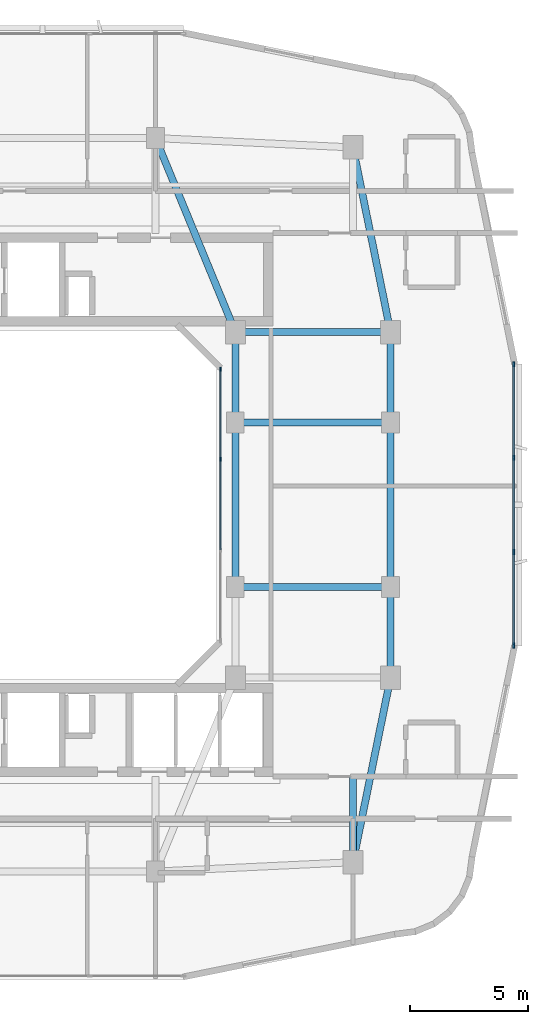
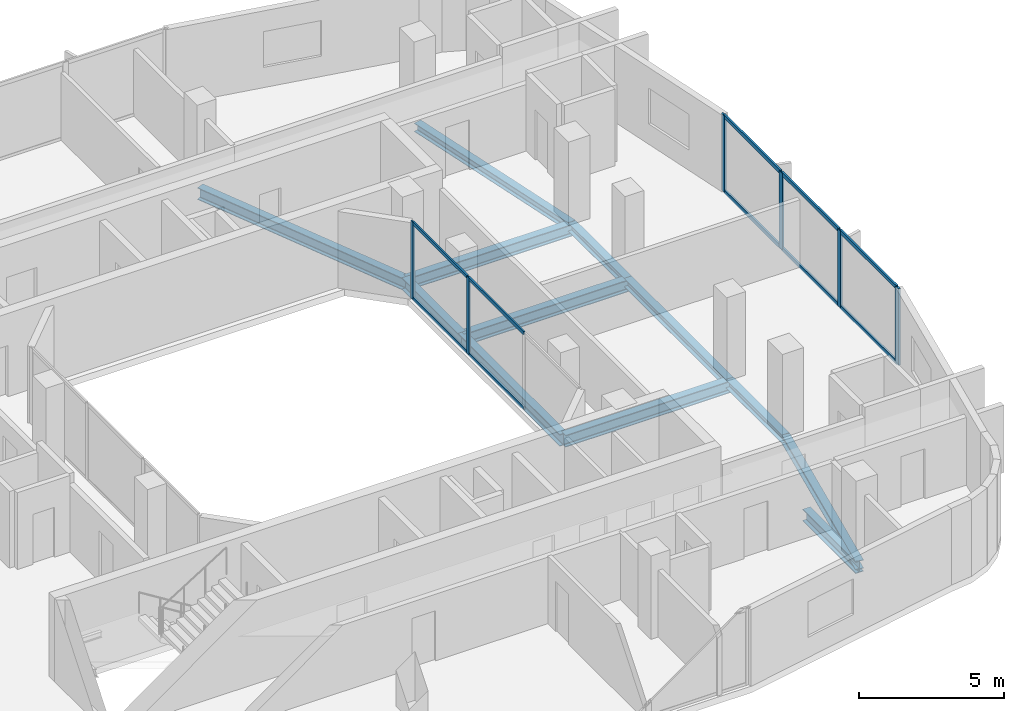
# One storey, part 4 of 14: 16 members, 12 beams, 2 elements without a shape of their own.
"""IFC4 building model written with IfcOpenShell, lengths in metres."""

from ifc_helpers import new_model, si_unit, derived_unit, direction, frame, origin, origin_2d, place, context, subcontext, project, spatial, rectangle, i_section, extrude, material, layer, layer_set, material_profile, profile_set, type_object, element, aggregate, save


model = new_model("IFC4")

# Units and contexts
model_context = context("Model", 3, precision=1e-05, world=origin(), true_north=direction((0.0, 1.0)))
body_context = subcontext(model_context, "Body", "Model", "MODEL_VIEW")
ifc_project = project(units=[si_unit("LENGTHUNIT", "METRE"), si_unit("AREAUNIT", "SQUARE_METRE"), si_unit("VOLUMEUNIT", "CUBIC_METRE"), si_unit("PLANEANGLEUNIT", "RADIAN"), si_unit("MASSUNIT", "GRAM", prefix="KILO"), derived_unit("THERMALTRANSMITTANCEUNIT", [(si_unit("POWERUNIT", "WATT"), 1), (si_unit("LENGTHUNIT", "METRE"), -2), (si_unit("THERMODYNAMICTEMPERATUREUNIT", "KELVIN"), -1)])], contexts=[model_context])

# Site, building, storey
site_placement = place(None, origin())
site = spatial("IfcSite", under=ifc_project, at=site_placement, CompositionType="ELEMENT")
building_placement = place(site_placement, origin())
building = spatial("IfcBuilding", under=site, at=building_placement, Name="Kivonza Crest Hotel", CompositionType="ELEMENT")
storey_placement = place(building_placement, frame((0.0, 0.0, 141.5)))
storey = spatial("IfcBuildingStorey", under=building, at=storey_placement, Name="L38", CompositionType="ELEMENT", Elevation=141.5)

# Beams
ifc_material_1 = material(Name="Steel S355", Category="steel")
ifc_material_profile_1 = material_profile(ifc_material_1, i_section(OverallWidth=0.300048828125, OverallDepth=0.360107421875, WebThickness=0.012451171875, FlangeThickness=0.0224609375, FilletRadius=0.027099609375, at=origin_2d()), Name="HEB 360")
ifc_profile_set_1 = profile_set([ifc_material_profile_1], Name="Steel S355")
beam_type_1 = type_object("IfcBeamType", Name="BM-HEB360", PredefinedType="SPANDREL", material=ifc_profile_set_1)
beam_1_placement = place(storey_placement, frame((34.199951171875, 9.800048828125, -0.4599609375), z_axis=(0.199730733965, 0.979850822273, 0.0), x_axis=(-0.979850822273, 0.199730733965, 0.0)))
element("IfcBeam", 1, at=beam_1_placement, inside=storey, type_object=beam_type_1, Name="Tower T1 L38 perimeter spandrel SE-PSE", PredefinedType="SPANDREL", context=body_context, shape_type="SweptSolid", body=[
    extrude(i_section(OverallWidth=0.300048828125, OverallDepth=0.360107421875, WebThickness=0.012451171875, FlangeThickness=0.0224609375, FilletRadius=0.027099609375, at=origin_2d()), origin(), (0.0, 0.0, 1.0), 8.01123046875),
])
beam_2_placement = place(storey_placement, frame((35.800048828125, 17.64990234375, -0.4599609375), z_axis=(0.0, 1.0, 0.0), x_axis=(-1.0, 0.0, 0.0)))
element("IfcBeam", 2, at=beam_2_placement, inside=storey, type_object=beam_type_1, Name="Tower T1 L38 perimeter spandrel PSE-E1", PredefinedType="SPANDREL", context=body_context, shape_type="SweptSolid", body=[
    extrude(i_section(OverallWidth=0.300048828125, OverallDepth=0.360107421875, WebThickness=0.012451171875, FlangeThickness=0.0224609375, FilletRadius=0.027099609375, at=origin_2d()), origin(), (0.0, 0.0, 1.0), 3.85009765625),
])
beam_3_placement = place(storey_placement, frame((35.800048828125, 21.5, -0.4599609375), z_axis=(0.0, 1.0, 0.0), x_axis=(-1.0, 0.0, 0.0)))
element("IfcBeam", 3, at=beam_3_placement, inside=storey, type_object=beam_type_1, Name="Tower T1 L38 perimeter spandrel E1-E2", PredefinedType="SPANDREL", context=body_context, shape_type="SweptSolid", body=[
    extrude(i_section(OverallWidth=0.300048828125, OverallDepth=0.360107421875, WebThickness=0.012451171875, FlangeThickness=0.0224609375, FilletRadius=0.027099609375, at=origin_2d()), origin(), (0.0, 0.0, 1.0), 7.0),
])
beam_4_placement = place(storey_placement, frame((35.800048828125, 28.5, -0.4599609375), z_axis=(0.0, 1.0, 0.0), x_axis=(-1.0, 0.0, 0.0)))
element("IfcBeam", 4, at=beam_4_placement, inside=storey, type_object=beam_type_1, Name="Tower T1 L38 perimeter spandrel E2-PNE", PredefinedType="SPANDREL", context=body_context, shape_type="SweptSolid", body=[
    extrude(i_section(OverallWidth=0.300048828125, OverallDepth=0.360107421875, WebThickness=0.012451171875, FlangeThickness=0.0224609375, FilletRadius=0.027099609375, at=origin_2d()), origin(), (0.0, 0.0, 1.0), 3.85009765625),
])
beam_5_placement = place(storey_placement, frame((35.800048828125, 32.35009765625, -0.4599609375), z_axis=(-0.199730733965, 0.979850822273, 0.0), x_axis=(-0.979850822273, -0.199730733965, 0.0)))
element("IfcBeam", 5, at=beam_5_placement, inside=storey, type_object=beam_type_1, Name="Tower T1 L38 perimeter spandrel PNE-NE", PredefinedType="SPANDREL", context=body_context, shape_type="SweptSolid", body=[
    extrude(i_section(OverallWidth=0.300048828125, OverallDepth=0.360107421875, WebThickness=0.012451171875, FlangeThickness=0.0224609375, FilletRadius=0.027099609375, at=origin_2d()), origin(), (0.0, 0.0, 1.0), 8.01123046875),
])
ifc_material_profile_2 = material_profile(ifc_material_1, i_section(OverallWidth=0.300048828125, OverallDepth=0.5, WebThickness=0.014404296875, FlangeThickness=0.028076171875, FilletRadius=0.027099609375, at=origin_2d()), Name="HEB 500")
ifc_profile_set_2 = profile_set([ifc_material_profile_2], Name="Steel S355")
beam_type_2 = type_object("IfcBeamType", Name="BM-HEB500", PredefinedType="BEAM", material=ifc_profile_set_2)
beam_6_placement = place(storey_placement, frame((25.800048828125, 40.60009765625, -0.530029296875), z_axis=(0.381022260404, -0.924565864109, 0.0), x_axis=(0.924565864109, 0.381022260404, 0.0)))
element("IfcBeam", 6, at=beam_6_placement, inside=storey, type_object=beam_type_2, Name="Tower T1 L38 primary girder N1-TNE", PredefinedType="BEAM", context=body_context, shape_type="SweptSolid", body=[
    extrude(i_section(OverallWidth=0.300048828125, OverallDepth=0.5, WebThickness=0.014404296875, FlangeThickness=0.028076171875, FilletRadius=0.027099609375, at=origin_2d()), origin(), (0.0, 0.0, 1.0), 8.923095703125),
])
beam_7_placement = place(storey_placement, frame((29.199951171875, 32.35009765625, -0.530029296875), z_axis=(1.0, 0.0, 0.0), x_axis=(0.0, 1.0, 0.0)))
element("IfcBeam", 7, at=beam_7_placement, inside=storey, type_object=beam_type_2, Name="Tower T1 L38 primary girder TNE-PNE", PredefinedType="BEAM", context=body_context, shape_type="SweptSolid", body=[
    extrude(i_section(OverallWidth=0.300048828125, OverallDepth=0.5, WebThickness=0.014404296875, FlangeThickness=0.028076171875, FilletRadius=0.027099609375, at=origin_2d()), origin(), (0.0, 0.0, 1.0), 6.60009765625),
])
beam_8_placement = place(storey_placement, frame((29.199951171875, 21.5, -0.530029296875), z_axis=(0.0, 1.0, 0.0), x_axis=(-1.0, 0.0, 0.0)))
element("IfcBeam", 8, at=beam_8_placement, inside=storey, type_object=beam_type_2, Name="Tower T1 L38 primary girder WR1-WR2", PredefinedType="BEAM", context=body_context, shape_type="SweptSolid", body=[
    extrude(i_section(OverallWidth=0.300048828125, OverallDepth=0.5, WebThickness=0.014404296875, FlangeThickness=0.028076171875, FilletRadius=0.027099609375, at=origin_2d()), origin(), (0.0, 0.0, 1.0), 7.0),
])
beam_9_placement = place(storey_placement, frame((29.199951171875, 28.5, -0.530029296875), z_axis=(0.0, 1.0, 0.0), x_axis=(-1.0, 0.0, 0.0)))
element("IfcBeam", 9, at=beam_9_placement, inside=storey, type_object=beam_type_2, Name="Tower T1 L38 primary girder WR2-TNE", PredefinedType="BEAM", context=body_context, shape_type="SweptSolid", body=[
    extrude(i_section(OverallWidth=0.300048828125, OverallDepth=0.5, WebThickness=0.014404296875, FlangeThickness=0.028076171875, FilletRadius=0.027099609375, at=origin_2d()), origin(), (0.0, 0.0, 1.0), 3.85009765625),
])
for number, where, z_axis, x_axis, name in (
    (10, (29.199951171875, 21.5, -0.530029296875), (1.0, 0.0, 0.0), (0.0, 1.0, 0.0), "Tower T1 L38 primary girder WR1-E1"),
    (11, (29.199951171875, 28.5, -0.530029296875), (1.0, 0.0, 0.0), (0.0, 1.0, 0.0), "Tower T1 L38 primary girder WR2-E2"),
):
    element("IfcBeam", number, at=place(storey_placement, frame(where, z_axis=z_axis, x_axis=x_axis)), inside=storey, type_object=beam_type_2, Name=name, PredefinedType="BEAM", context=body_context, shape_type="SweptSolid", body=[
        extrude(i_section(OverallWidth=0.300048828125, OverallDepth=0.5, WebThickness=0.014404296875, FlangeThickness=0.028076171875, FilletRadius=0.027099609375, at=origin_2d()), origin(), (0.0, 0.0, 1.0), 6.60009765625),
    ])
beam_10_placement = place(storey_placement, frame((34.199951171875, 9.800048828125, -0.530029296875), z_axis=(0.0, 1.0, 0.0), x_axis=(-1.0, 0.0, 0.0)))
element("IfcBeam", 12, at=beam_10_placement, inside=storey, type_object=beam_type_2, Name="Tower T1 L38 radial core girder RSE", PredefinedType="BEAM", context=body_context, shape_type="SweptSolid", body=[
    extrude(i_section(OverallWidth=0.300048828125, OverallDepth=0.5, WebThickness=0.014404296875, FlangeThickness=0.028076171875, FilletRadius=0.027099609375, at=origin_2d()), origin(), (0.0, 0.0, 1.0), 3.64990234375),
])

# Curtain wall, members
ifc_material_2 = material(Name="Anodised bronze aluminium and low-E double glazing", Category="aluminium")
ifc_layer_1 = layer(ifc_material_2, 0.159912109375)
ifc_layer_set_1 = layer_set([ifc_layer_1], Name="Anodised bronze aluminium and low-E double glazing")
curtain_wall_type_1 = type_object("IfcCurtainWallType", Name="CW-SYS-5", PredefinedType="NOTDEFINED", material=ifc_layer_set_1)
curtain_wall_1_placement = place(storey_placement, origin())
curtain_wall_1 = element("IfcCurtainWall", 13, at=curtain_wall_1_placement, inside=storey, type_object=curtain_wall_type_1, Name="L38 unitised curtain wall CW-WELL-T1-L38-3", PredefinedType="NOTDEFINED")
ifc_material_3 = material(Name="Anodised bronze aluminium", Category="aluminium")
ifc_material_profile_3 = material_profile(ifc_material_3, rectangle(XDim=0.06494140625, YDim=0.179931640625, at=origin_2d()), Name="CW-M 65x180")
ifc_profile_set_3 = profile_set([ifc_material_profile_3], Name="Anodised bronze aluminium")
member_type_1 = type_object("IfcMemberType", Name="CW-MUL-65x180", PredefinedType="MULLION", material=ifc_profile_set_3)
member_1_placement = place(storey_placement, frame((28.56005859375, 26.933349609375, 0.0), z_axis=(0.0, 0.0, 1.0), x_axis=(-1.0, 0.0, 0.0)))
member_1 = element("IfcMember", 14, at=member_1_placement, type_object=member_type_1, Name="CW-5 mullion 3", PredefinedType="MULLION", context=body_context, shape_type="SweptSolid", body=[
    extrude(rectangle(XDim=0.06494140625, YDim=0.179931640625, at=origin_2d()), origin(), (0.0, 0.0, 1.0), 3.219970703125),
])
member_2_placement = place(storey_placement, frame((28.56005859375, 30.767578125, 0.0), z_axis=(0.0, 0.0, 1.0), x_axis=(-1.0, 0.0, 0.0)))
member_2 = element("IfcMember", 15, at=member_2_placement, type_object=member_type_1, Name="CW-5 mullion 4", PredefinedType="MULLION", context=body_context, shape_type="SweptSolid", body=[
    extrude(rectangle(XDim=0.06494140625, YDim=0.179931640625, at=origin_2d()), origin(), (0.0, 0.0, 1.0), 3.219970703125),
])

ifc_layer_2 = layer(ifc_material_2, 0.179931640625)
ifc_layer_set_2 = layer_set([ifc_layer_2], Name="Anodised bronze aluminium and low-E double glazing")
curtain_wall_type_2 = type_object("IfcCurtainWallType", Name="CW-SYS-3", PredefinedType="NOTDEFINED", material=ifc_layer_set_2)
curtain_wall_2_placement = place(storey_placement, origin())
curtain_wall_2 = element("IfcCurtainWall", 16, at=curtain_wall_2_placement, inside=storey, type_object=curtain_wall_type_2, Name="L38 unitised curtain wall CW-T1-L38-17", PredefinedType="NOTDEFINED")
ifc_material_profile_4 = material_profile(ifc_material_3, rectangle(XDim=0.074951171875, YDim=0.219970703125, at=origin_2d()), Name="CW-M 75x220")
ifc_profile_set_4 = profile_set([ifc_material_profile_4], Name="Anodised bronze aluminium")
member_type_2 = type_object("IfcMemberType", Name="CW-MUL-75x220", PredefinedType="MULLION", material=ifc_profile_set_4)
member_3_placement = place(storey_placement, frame((41.0400390625, 19.017578125, 0.0), z_axis=(0.0, 0.0, 1.0), x_axis=(-1.0, 0.0, 0.0)))
member_3 = element("IfcMember", 17, at=member_3_placement, type_object=member_type_2, Name="CW-3 mullion 1", PredefinedType="MULLION", context=body_context, shape_type="SweptSolid", body=[
    extrude(rectangle(XDim=0.074951171875, YDim=0.219970703125, at=origin_2d()), origin(), (0.0, 0.0, 1.0), 3.219970703125),
])
member_4_placement = place(storey_placement, frame((41.0400390625, 22.993408203125, 0.0), z_axis=(0.0, 0.0, 1.0), x_axis=(-1.0, 0.0, 0.0)))
member_4 = element("IfcMember", 18, at=member_4_placement, type_object=member_type_2, Name="CW-3 mullion 2", PredefinedType="MULLION", context=body_context, shape_type="SweptSolid", body=[
    extrude(rectangle(XDim=0.074951171875, YDim=0.219970703125, at=origin_2d()), origin(), (0.0, 0.0, 1.0), 3.219970703125),
])
member_5_placement = place(storey_placement, frame((41.0400390625, 27.006591796875, 0.0), z_axis=(0.0, 0.0, 1.0), x_axis=(-1.0, 0.0, 0.0)))
member_5 = element("IfcMember", 19, at=member_5_placement, type_object=member_type_2, Name="CW-3 mullion 3", PredefinedType="MULLION", context=body_context, shape_type="SweptSolid", body=[
    extrude(rectangle(XDim=0.074951171875, YDim=0.219970703125, at=origin_2d()), origin(), (0.0, 0.0, 1.0), 3.219970703125),
])
member_6_placement = place(storey_placement, frame((41.0400390625, 30.982421875, 0.0), z_axis=(0.0, 0.0, 1.0), x_axis=(-1.0, 0.0, 0.0)))
member_6 = element("IfcMember", 20, at=member_6_placement, type_object=member_type_2, Name="CW-3 mullion 4", PredefinedType="MULLION", context=body_context, shape_type="SweptSolid", body=[
    extrude(rectangle(XDim=0.074951171875, YDim=0.219970703125, at=origin_2d()), origin(), (0.0, 0.0, 1.0), 3.219970703125),
])

# Member
ifc_material_profile_5 = material_profile(ifc_material_3, rectangle(XDim=0.06494140625, YDim=0.139892578125, at=origin_2d()), Name="CW-T 65x140")
ifc_profile_set_5 = profile_set([ifc_material_profile_5], Name="Anodised bronze aluminium")
member_type_3 = type_object("IfcMemberType", Name="CW-TRN-65x140", PredefinedType="USERDEFINED", material=ifc_profile_set_5)
member_7_placement = place(storey_placement, frame((28.56005859375, 23.09912109375, 0.032470703125), z_axis=(0.0, 1.0, 0.0), x_axis=(-1.0, 0.0, 0.0)))
member_7 = element("IfcMember", 21, at=member_7_placement, type_object=member_type_3, Name="CW-5 transom 2.1", ObjectType="TRANSOM", PredefinedType="USERDEFINED", context=body_context, shape_type="SweptSolid", body=[
    extrude(rectangle(XDim=0.06494140625, YDim=0.139892578125, at=origin_2d()), origin(), (0.0, 0.0, 1.0), 3.8017578125),
])

member_8_placement = place(storey_placement, frame((28.56005859375, 23.09912109375, 3.1875), z_axis=(0.0, 1.0, 0.0), x_axis=(-1.0, 0.0, 0.0)))
member_8 = element("IfcMember", 22, at=member_8_placement, type_object=member_type_3, Name="CW-5 transom 2.2", ObjectType="TRANSOM", PredefinedType="USERDEFINED", context=body_context, shape_type="SweptSolid", body=[
    extrude(rectangle(XDim=0.06494140625, YDim=0.139892578125, at=origin_2d()), origin(), (0.0, 0.0, 1.0), 3.8017578125),
])

member_9_placement = place(storey_placement, frame((28.56005859375, 26.9658203125, 0.032470703125), z_axis=(0.0, 1.0, 0.0), x_axis=(-1.0, 0.0, 0.0)))
member_9 = element("IfcMember", 23, at=member_9_placement, type_object=member_type_3, Name="CW-5 transom 3.1", ObjectType="TRANSOM", PredefinedType="USERDEFINED", context=body_context, shape_type="SweptSolid", body=[
    extrude(rectangle(XDim=0.06494140625, YDim=0.139892578125, at=origin_2d()), origin(), (0.0, 0.0, 1.0), 3.769287109375),
])

member_10_placement = place(storey_placement, frame((28.56005859375, 26.9658203125, 3.1875), z_axis=(0.0, 1.0, 0.0), x_axis=(-1.0, 0.0, 0.0)))
member_10 = element("IfcMember", 24, at=member_10_placement, type_object=member_type_3, Name="CW-5 transom 3.2", ObjectType="TRANSOM", PredefinedType="USERDEFINED", context=body_context, shape_type="SweptSolid", body=[
    extrude(rectangle(XDim=0.06494140625, YDim=0.139892578125, at=origin_2d()), origin(), (0.0, 0.0, 1.0), 3.769287109375),
])

aggregate(curtain_wall_1, [member_1, member_2, member_7, member_8, member_9, member_10])

ifc_material_profile_6 = material_profile(ifc_material_3, rectangle(XDim=0.074951171875, YDim=0.159912109375, at=origin_2d()), Name="CW-T 75x160")
ifc_profile_set_6 = profile_set([ifc_material_profile_6], Name="Anodised bronze aluminium")
member_type_4 = type_object("IfcMemberType", Name="CW-TRN-75x160", PredefinedType="USERDEFINED", material=ifc_profile_set_6)
member_11_placement = place(storey_placement, frame((41.0400390625, 19.054931640625, 0.03759765625), z_axis=(0.0, 1.0, 0.0), x_axis=(-1.0, 0.0, 0.0)))
member_11 = element("IfcMember", 25, at=member_11_placement, type_object=member_type_4, Name="CW-3 transom 1.1", ObjectType="TRANSOM", PredefinedType="USERDEFINED", context=body_context, shape_type="SweptSolid", body=[
    extrude(rectangle(XDim=0.074951171875, YDim=0.159912109375, at=origin_2d()), origin(), (0.0, 0.0, 1.0), 3.90087890625),
])

member_12_placement = place(storey_placement, frame((41.0400390625, 19.054931640625, 3.1826171875), z_axis=(0.0, 1.0, 0.0), x_axis=(-1.0, 0.0, 0.0)))
member_12 = element("IfcMember", 26, at=member_12_placement, type_object=member_type_4, Name="CW-3 transom 1.2", ObjectType="TRANSOM", PredefinedType="USERDEFINED", context=body_context, shape_type="SweptSolid", body=[
    extrude(rectangle(XDim=0.074951171875, YDim=0.159912109375, at=origin_2d()), origin(), (0.0, 0.0, 1.0), 3.90087890625),
])

member_13_placement = place(storey_placement, frame((41.0400390625, 23.03076171875, 0.03759765625), z_axis=(0.0, 1.0, 0.0), x_axis=(-1.0, 0.0, 0.0)))
member_13 = element("IfcMember", 27, at=member_13_placement, type_object=member_type_4, Name="CW-3 transom 2.1", ObjectType="TRANSOM", PredefinedType="USERDEFINED", context=body_context, shape_type="SweptSolid", body=[
    extrude(rectangle(XDim=0.074951171875, YDim=0.159912109375, at=origin_2d()), origin(), (0.0, 0.0, 1.0), 3.9384765625),
])

member_14_placement = place(storey_placement, frame((41.0400390625, 23.03076171875, 3.1826171875), z_axis=(0.0, 1.0, 0.0), x_axis=(-1.0, 0.0, 0.0)))
member_14 = element("IfcMember", 28, at=member_14_placement, type_object=member_type_4, Name="CW-3 transom 2.2", ObjectType="TRANSOM", PredefinedType="USERDEFINED", context=body_context, shape_type="SweptSolid", body=[
    extrude(rectangle(XDim=0.074951171875, YDim=0.159912109375, at=origin_2d()), origin(), (0.0, 0.0, 1.0), 3.9384765625),
])

member_15_placement = place(storey_placement, frame((41.0400390625, 27.044189453125, 0.03759765625), z_axis=(0.0, 1.0, 0.0), x_axis=(-1.0, 0.0, 0.0)))
member_15 = element("IfcMember", 29, at=member_15_placement, type_object=member_type_4, Name="CW-3 transom 3.1", ObjectType="TRANSOM", PredefinedType="USERDEFINED", context=body_context, shape_type="SweptSolid", body=[
    extrude(rectangle(XDim=0.074951171875, YDim=0.159912109375, at=origin_2d()), origin(), (0.0, 0.0, 1.0), 3.90087890625),
])

member_16_placement = place(storey_placement, frame((41.0400390625, 27.044189453125, 3.1826171875), z_axis=(0.0, 1.0, 0.0), x_axis=(-1.0, 0.0, 0.0)))
member_16 = element("IfcMember", 30, at=member_16_placement, type_object=member_type_4, Name="CW-3 transom 3.2", ObjectType="TRANSOM", PredefinedType="USERDEFINED", context=body_context, shape_type="SweptSolid", body=[
    extrude(rectangle(XDim=0.074951171875, YDim=0.159912109375, at=origin_2d()), origin(), (0.0, 0.0, 1.0), 3.90087890625),
])

aggregate(curtain_wall_2, [member_3, member_4, member_5, member_6, member_11, member_12, member_13, member_14, member_15, member_16])

save(model, "model.ifc")
